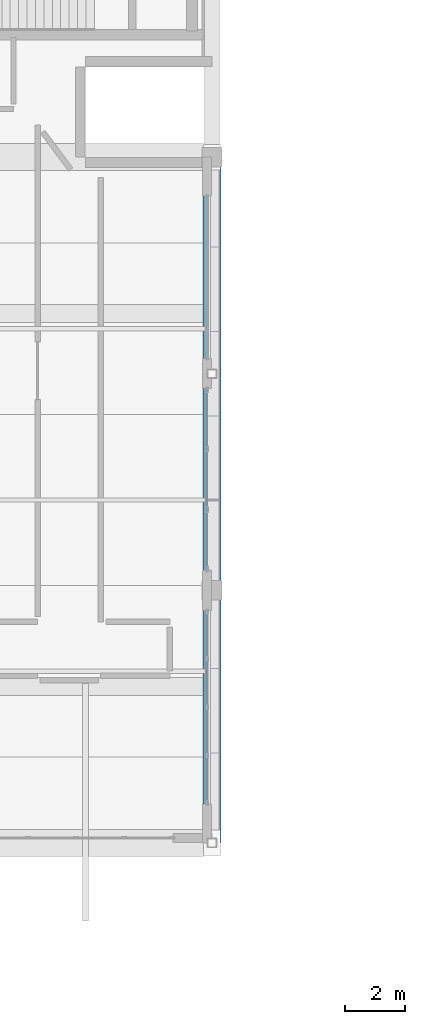
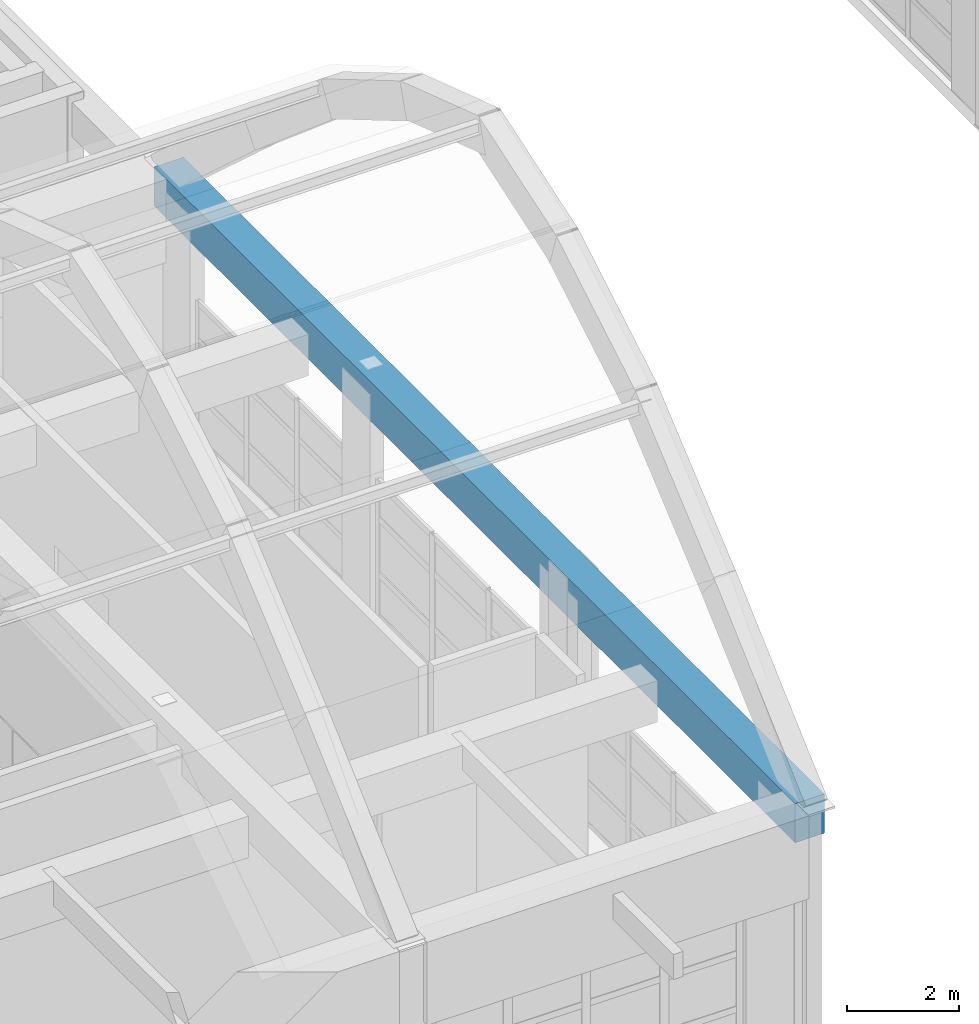
# One storey, part 52 of 103: 1 beam.
"""IFC4 building model written with IfcOpenShell, lengths in metres."""

from ifc_helpers import new_model, si_unit, direction, frame, origin, origin_2d, place, context, subcontext, project, spatial, rectangle, extrude, material, material_profile, profile_set, type_object, element, save


model = new_model("IFC4")

# Units and contexts
model_context = context("Model", 3, precision=1e-05, world=origin(), true_north=direction((0.0, 1.0)))
body_context = subcontext(model_context, "Body", "Model", "MODEL_VIEW")
ifc_project = project(units=[si_unit("LENGTHUNIT", "METRE"), si_unit("AREAUNIT", "SQUARE_METRE"), si_unit("VOLUMEUNIT", "CUBIC_METRE"), si_unit("PLANEANGLEUNIT", "RADIAN"), si_unit("MASSUNIT", "GRAM", prefix="KILO")], contexts=[model_context])

# Site, building, storey
site_placement = place(None, origin())
site = spatial("IfcSite", under=ifc_project, at=site_placement, CompositionType="ELEMENT")
building_placement = place(site_placement, origin())
building = spatial("IfcBuilding", under=site, at=building_placement, Name="Quendrovan Civic Courthouse", CompositionType="ELEMENT")
storey_placement = place(building_placement, frame((0.0, 0.0, 15.300048828125)))
storey = spatial("IfcBuildingStorey", under=building, at=storey_placement, Name="L04", CompositionType="ELEMENT", Elevation=15.300048828125)

# Beam
ifc_material = material(Name="Post-tensioned concrete C50/60", Category="concrete")
ifc_material_profile = material_profile(ifc_material, rectangle(XDim=0.60009765625, YDim=0.85009765625, at=origin_2d()), Name="PT-TIE-600x850")
ifc_profile_set = profile_set([ifc_material_profile], Name="Post-tensioned concrete C50/60")
beam_type = type_object("IfcBeamType", Name="BM-PTTIE850", PredefinedType="BEAM", material=ifc_profile_set)
beam_placement = place(storey_placement, frame((92.39990234375, 64.800048828125, 4.675048828125), z_axis=(0.0, 1.0, 0.0), x_axis=(-1.0, 0.0, 0.0)))
element("IfcBeam", 1, at=beam_placement, inside=storey, type_object=beam_type, Name="BV2 Vault Post-Tensioned Tie Beam A8", PredefinedType="BEAM", context=body_context, shape_type="SweptSolid", body=[
    extrude(rectangle(XDim=0.60009765625, YDim=0.85009765625, at=origin_2d()), origin(), (0.0, 0.0, 1.0), 22.800048828125),
])

save(model, "model.ifc")
